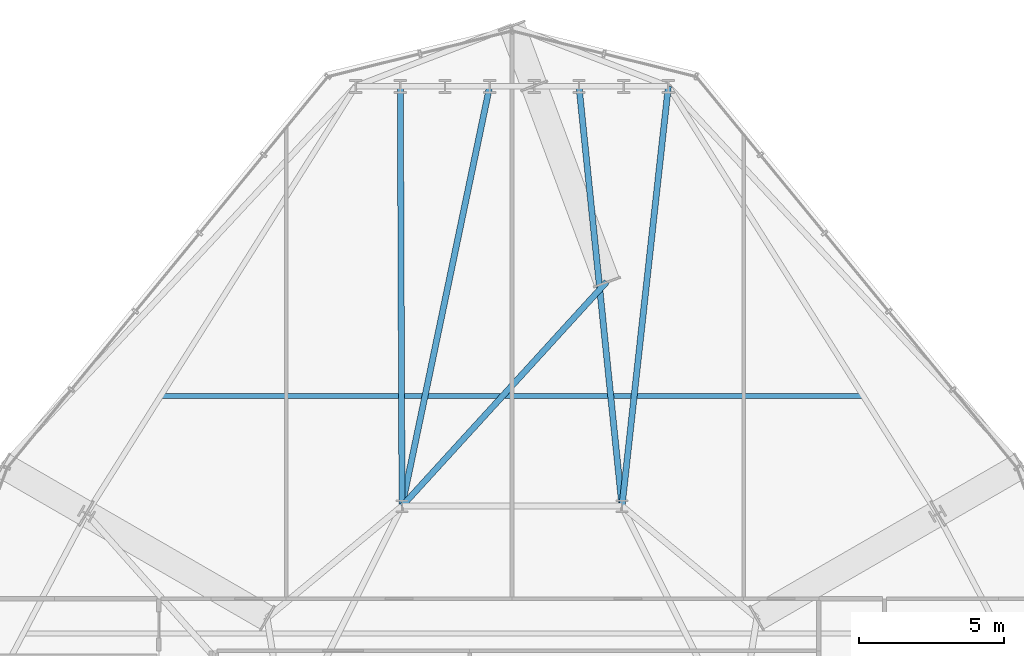
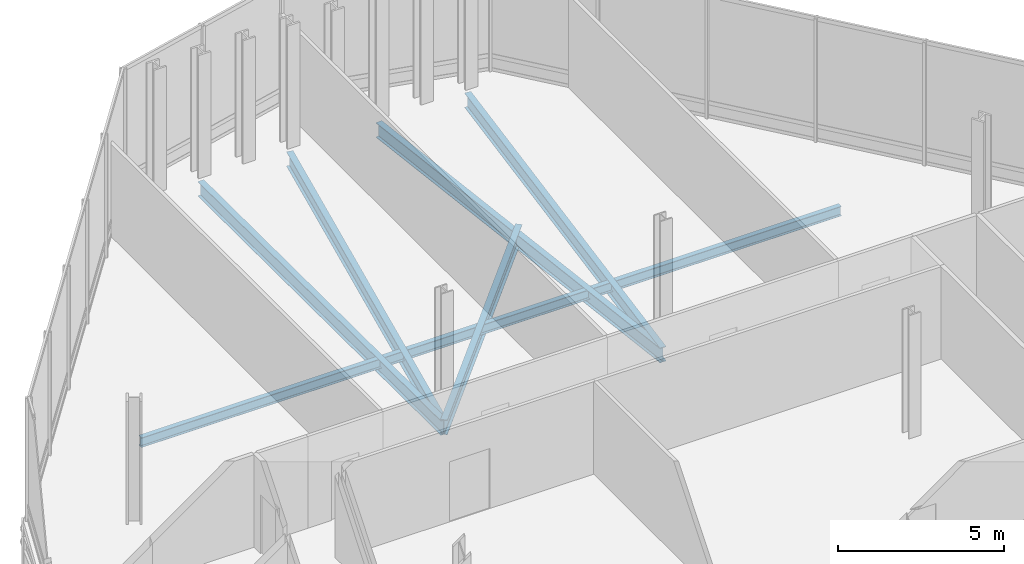
# One storey, part 16 of 26: 6 beams.
"""IFC4 building model written with IfcOpenShell, lengths in metres."""

from ifc_helpers import new_model, si_unit, direction, frame, origin, origin_2d, place, context, subcontext, project, spatial, i_section, extrude, material, material_profile, profile_set, type_object, element, save


model = new_model("IFC4")

# Units and contexts
model_context = context("Model", 3, precision=1e-05, world=origin(), true_north=direction((0.0, 1.0)))
body_context = subcontext(model_context, "Body", "Model", "MODEL_VIEW")
ifc_project = project(units=[si_unit("LENGTHUNIT", "METRE"), si_unit("AREAUNIT", "SQUARE_METRE"), si_unit("VOLUMEUNIT", "CUBIC_METRE"), si_unit("PLANEANGLEUNIT", "RADIAN"), si_unit("MASSUNIT", "GRAM", prefix="KILO")], contexts=[model_context])

# Site, building, storey
site_placement = place(None, origin())
site = spatial("IfcSite", under=ifc_project, at=site_placement, CompositionType="ELEMENT")
building_placement = place(site_placement, origin())
building = spatial("IfcBuilding", under=site, at=building_placement, Name="Ndaravel Arena Tower", CompositionType="ELEMENT")
storey_placement = place(building_placement, frame((0.0, 0.0, 117.39990234375)))
storey = spatial("IfcBuildingStorey", under=building, at=storey_placement, Name="L27", CompositionType="ELEMENT", Elevation=117.39990234375)

# Beams
ifc_material_1 = material(Name="Steel S355", Category="steel")
ifc_material_profile_1 = material_profile(ifc_material_1, i_section(OverallWidth=0.210693359375, OverallDepth=0.53955078125, WebThickness=0.01171875, FlangeThickness=0.018798828125, FilletRadius=0.0126953125, at=origin_2d()), Name="UB 533x210x109")
ifc_profile_set_1 = profile_set([ifc_material_profile_1], Name="Steel S355")
beam_type_1 = type_object("IfcBeamType", Name="BM-GIRD-UB533", PredefinedType="BEAM", material=ifc_profile_set_1)
beam_1_placement = place(storey_placement, frame((47.401611328125, 45.7041015625, -0.549560546875), z_axis=(-0.1097539039, -0.993958792193, 0.0), x_axis=(0.993958792193, -0.1097539039, 0.0)))
element("IfcBeam", 1, at=beam_1_placement, inside=storey, type_object=beam_type_1, Name="L27 Radial Floor Girder FG-11", PredefinedType="BEAM", context=body_context, shape_type="SweptSolid", body=[
    extrude(i_section(OverallWidth=0.210693359375, OverallDepth=0.53955078125, WebThickness=0.01171875, FlangeThickness=0.018798828125, FilletRadius=0.0126953125, at=origin_2d()), origin(), (0.0, 0.0, 1.0), 14.59228515625),
])
beam_2_placement = place(storey_placement, frame((44.31494140625, 45.7041015625, -0.549560546875), z_axis=(0.101859333982, -0.994798811861, 0.0), x_axis=(0.994798811861, 0.101859333982, 0.0)))
element("IfcBeam", 2, at=beam_2_placement, inside=storey, type_object=beam_type_1, Name="L27 Radial Floor Girder FG-13", PredefinedType="BEAM", context=body_context, shape_type="SweptSolid", body=[
    extrude(i_section(OverallWidth=0.210693359375, OverallDepth=0.53955078125, WebThickness=0.01171875, FlangeThickness=0.018798828125, FilletRadius=0.0126953125, at=origin_2d()), origin(), (0.0, 0.0, 1.0), 14.580078125),
])
beam_3_placement = place(storey_placement, frame((41.228271484375, 45.7041015625, -0.549560546875), z_axis=(-0.204382585692, -0.978891086212, 0.0), x_axis=(0.978891086212, -0.204382585692, 0.0)))
element("IfcBeam", 3, at=beam_3_placement, inside=storey, type_object=beam_type_1, Name="L27 Radial Floor Girder FG-15", PredefinedType="BEAM", context=body_context, shape_type="SweptSolid", body=[
    extrude(i_section(OverallWidth=0.210693359375, OverallDepth=0.53955078125, WebThickness=0.01171875, FlangeThickness=0.018798828125, FilletRadius=0.0126953125, at=origin_2d()), origin(), (0.0, 0.0, 1.0), 14.81689453125),
])
beam_4_placement = place(storey_placement, frame((38.1416015625, 45.7041015625, -0.549560546875), z_axis=(0.00402292693, -0.999991907997, 0.0), x_axis=(0.999991907997, 0.00402292693, 0.0)))
element("IfcBeam", 4, at=beam_4_placement, inside=storey, type_object=beam_type_1, Name="L27 Radial Floor Girder FG-17", PredefinedType="BEAM", context=body_context, shape_type="SweptSolid", body=[
    extrude(i_section(OverallWidth=0.210693359375, OverallDepth=0.53955078125, WebThickness=0.01171875, FlangeThickness=0.018798828125, FilletRadius=0.0126953125, at=origin_2d()), origin(), (0.0, 0.0, 1.0), 14.504150390625),
])
beam_5_placement = place(storey_placement, frame((45.276123046875, 38.95361328125, -0.549560546875), z_axis=(-0.674100044917, -0.738640054047, 0.0), x_axis=(0.738640054047, -0.674100044917, 0.0)))
element("IfcBeam", 5, at=beam_5_placement, inside=storey, type_object=beam_type_1, Name="L27 Star Backspan Anchor Tie SAT2-5", PredefinedType="BEAM", context=body_context, shape_type="SweptSolid", body=[
    extrude(i_section(OverallWidth=0.210693359375, OverallDepth=0.53955078125, WebThickness=0.01171875, FlangeThickness=0.018798828125, FilletRadius=0.0126953125, at=origin_2d()), origin(), (0.0, 0.0, 1.0), 10.497314453125),
])
ifc_material_2 = material(Name="Steel S355", Category="steel")
ifc_material_profile_2 = material_profile(ifc_material_2, i_section(OverallWidth=0.172119140625, OverallDepth=0.35791015625, WebThickness=0.008056640625, FlangeThickness=0.012939453125, FilletRadius=0.01025390625, at=origin_2d()), Name="UB 356x171x57")
ifc_profile_set_2 = profile_set([ifc_material_profile_2], Name="Steel S355")
beam_type_2 = type_object("IfcBeamType", Name="BM-JOIST-UB356", PredefinedType="JOIST", material=ifc_profile_set_2)
beam_6_placement = place(storey_placement, frame((29.85888671875, 35.0, -0.458984375), z_axis=(1.0, 0.0, 0.0), x_axis=(0.0, 1.0, 0.0)))
element("IfcBeam", 6, at=beam_6_placement, inside=storey, type_object=beam_type_2, Name="L27 Composite Floor Joist FJ-03", PredefinedType="JOIST", context=body_context, shape_type="SweptSolid", body=[
    extrude(i_section(OverallWidth=0.172119140625, OverallDepth=0.35791015625, WebThickness=0.008056640625, FlangeThickness=0.012939453125, FilletRadius=0.01025390625, at=origin_2d()), origin(), (0.0, 0.0, 1.0), 24.2822265625),
])

save(model, "model.ifc")
